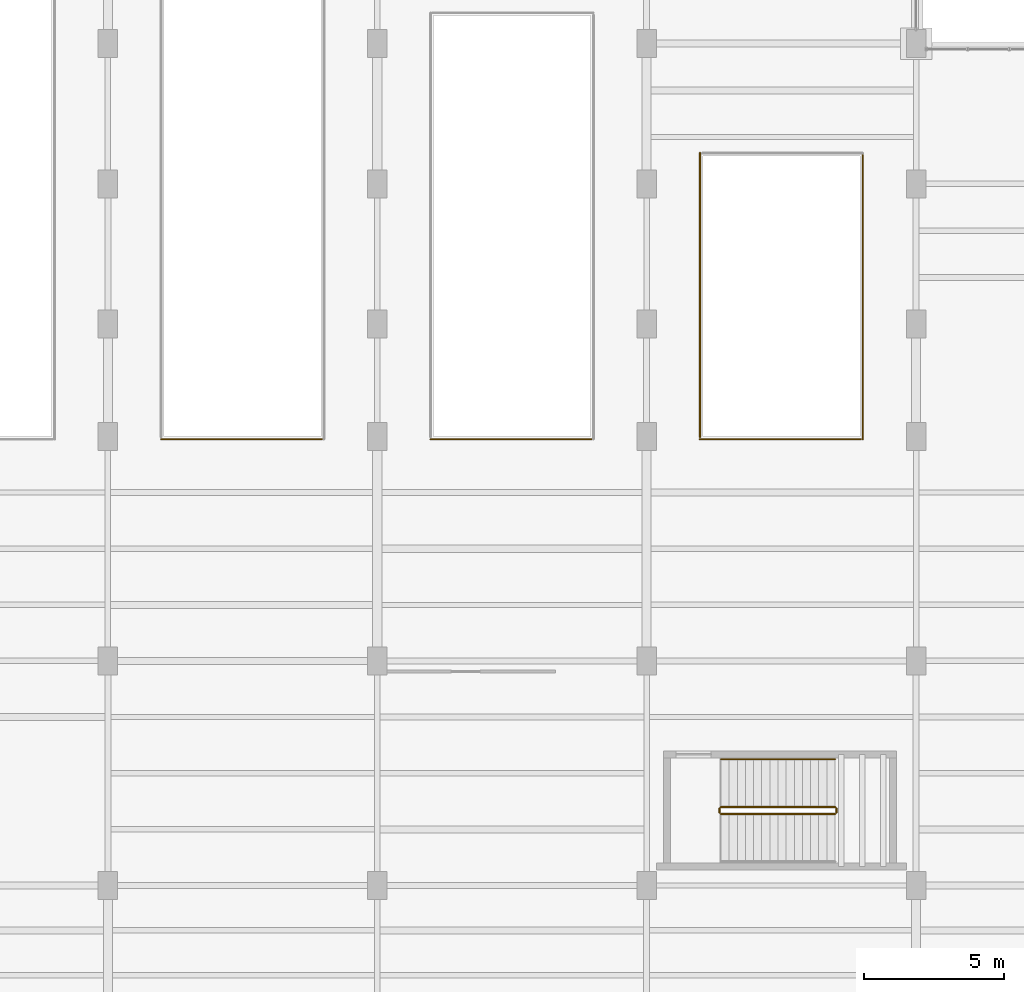
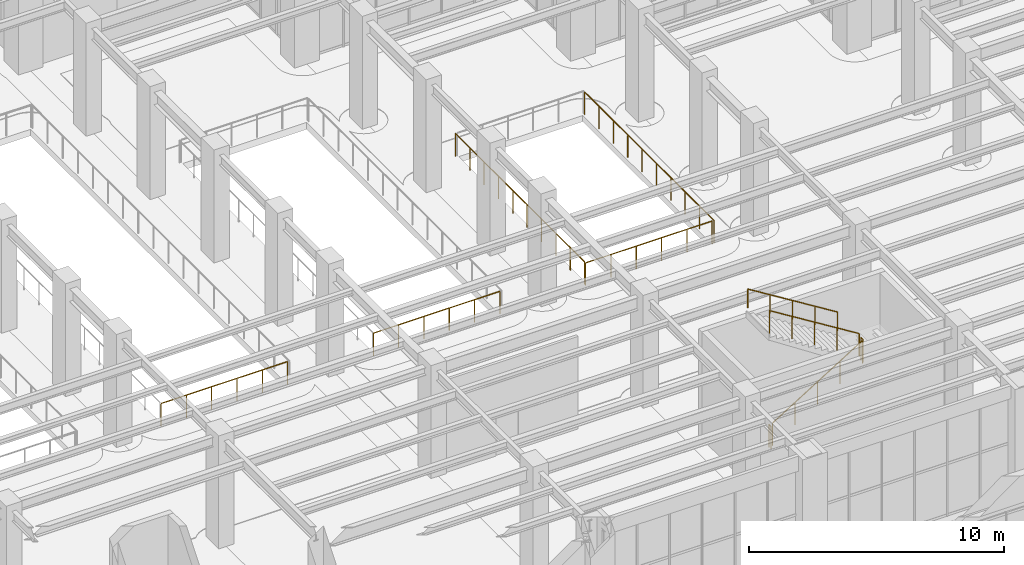
# One storey, part 160 of 164: 10 railings.
"""IFC4 building model written with IfcOpenShell, lengths in metres."""

import ifcopenshell
import ifcopenshell.guid

model = None  # the IFC model being written
_history = None  # IfcOwnerHistory: only IFC2X3 demands one
_inside = {}  # id of a spatial element -> (the spatial element, [elements in it])
_under = {}  # id of a project, library or spatial element -> (it, [spatial elements below it])
_declared = {}  # id of a project -> (the project, [libraries it declares])
_typed = {}  # id of a type object -> (the type object, [elements of that type])
_made_of = {}  # id of a material, layer set ... -> (it, [elements and type objects made of it])


def new_model(schema):
    """Start an empty IFC model of exactly this schema.

    Asked for "IFC4X3", IfcOpenShell would pick the latest addendum, in which some entities
    have other attributes; the version numbers below select the first issue.
    IFC2X3 requires an IfcOwnerHistory on every rooted entity: one is made here for all.
    """
    global model, _history
    if schema == "IFC4X3":
        model = ifcopenshell.file(schema_version=(4, 3, 0, 0))
    else:
        model = ifcopenshell.file(schema=schema)
    _inside.clear()
    _under.clear()
    _declared.clear()
    _typed.clear()
    _made_of.clear()
    _history = None
    if model.schema == "IFC2X3":
        org = make("IfcOrganization", Name="unknown")
        user = make(
            "IfcPersonAndOrganization",
            ThePerson=make("IfcPerson", FamilyName="unknown"),
            TheOrganization=org,
        )
        app = make(
            "IfcApplication",
            ApplicationDeveloper=org,
            Version="unknown",
            ApplicationFullName="unknown",
            ApplicationIdentifier="unknown",
        )
        _history = make(
            "IfcOwnerHistory",
            OwningUser=user,
            OwningApplication=app,
            ChangeAction="ADDED",
            CreationDate=0,
        )
    return model


def make(cls, **values):
    """One entity of the class cls with the attributes given. An attribute that is None is left unset."""
    return model.create_entity(
        cls, **{name: value for name, value in values.items() if value is not None}
    )


def rooted(cls, **values):
    """An entity with a GlobalId (a new one), such as an element, a storey or a relation."""
    return make(cls, GlobalId=ifcopenshell.guid.new(), OwnerHistory=_history, **values)


def si_unit(unit_type, name, prefix=None):
    """IfcSIUnit, for example si_unit("LENGTHUNIT", "METRE", prefix="MILLI")."""
    return make("IfcSIUnit", UnitType=unit_type, Prefix=prefix, Name=name)


def assignment(units):
    """IfcUnitAssignment: the units of a project."""
    return None if units is None else make("IfcUnitAssignment", Units=units)


def point(xyz):
    """IfcCartesianPoint."""
    return None if xyz is None else make("IfcCartesianPoint", Coordinates=xyz)


def direction(xyz):
    """IfcDirection."""
    return None if xyz is None else make("IfcDirection", DirectionRatios=xyz)


def frame(location, z_axis=None, x_axis=None):
    """IfcAxis2Placement3D, a coordinate frame: its origin and axes. An axis left out is left unset."""
    return make(
        "IfcAxis2Placement3D",
        Location=point(location),
        Axis=direction(z_axis),
        RefDirection=direction(x_axis),
    )


def frame_2d(location, x_axis=None):
    """IfcAxis2Placement2D, a coordinate frame in the plane: its origin and x axis."""
    return make(
        "IfcAxis2Placement2D", Location=point(location), RefDirection=direction(x_axis)
    )


def origin():
    """The frame at (0, 0, 0) with its axes left unset."""
    return frame((0.0, 0.0, 0.0))


def origin_2d():
    """The frame at (0, 0) in the plane with its x axis left unset."""
    return frame_2d((0.0, 0.0))


def place(relative_to, where):
    """IfcLocalPlacement: puts the frame where relative to a parent placement (None: the world)."""
    return make(
        "IfcLocalPlacement", PlacementRelTo=relative_to, RelativePlacement=where
    )


def context(
    kind, dimensions, precision=None, world=None, true_north=None, identifier=None
):
    """IfcGeometricRepresentationContext, for example the 3D "Model" context."""
    return make(
        "IfcGeometricRepresentationContext",
        ContextIdentifier=identifier,
        ContextType=kind,
        CoordinateSpaceDimension=dimensions,
        Precision=precision,
        WorldCoordinateSystem=world,
        TrueNorth=true_north,
    )


def subcontext(parent, identifier, kind, view, scale=None):
    """IfcGeometricRepresentationSubContext, for example "Body" below "Model"."""
    return make(
        "IfcGeometricRepresentationSubContext",
        ContextIdentifier=identifier,
        ContextType=kind,
        ParentContext=parent,
        TargetScale=scale,
        TargetView=view,
    )


def project(units=None, contexts=None):
    """IfcProject with its units and contexts."""
    return rooted(
        "IfcProject",
        Name="project",
        RepresentationContexts=contexts,
        UnitsInContext=assignment(units),
    )


def spatial(cls, under=None, at=None, **own):
    """A site, building, storey or space (cls), placed at a placement, below another one or the project."""
    s = rooted(cls, ObjectPlacement=at, **own)
    if under is not None:
        _under.setdefault(under.id(), (under, []))[1].append(s)
    return s


def profile(cls, at=None, kind="AREA", **sizes):
    """A parametric profile (cls). Its sizes go by their IFC names, for example OverallWidth=200.0."""
    return make(cls, ProfileType=kind, Position=at, **sizes)


def circle(**sizes):
    """IfcCircleProfileDef."""
    return profile("IfcCircleProfileDef", **sizes)


def extrude(swept, where, along, depth):
    """IfcExtrudedAreaSolid: the profile swept, set in the frame where, extruded along a direction by depth."""
    return make(
        "IfcExtrudedAreaSolid",
        SweptArea=swept,
        Position=where,
        ExtrudedDirection=direction(along),
        Depth=depth,
    )


def shape(context_of_items, identifier, shape_type, items):
    """IfcShapeRepresentation: the items that make up one representation, for example the "Body"."""
    return make(
        "IfcShapeRepresentation",
        ContextOfItems=context_of_items,
        RepresentationIdentifier=identifier,
        RepresentationType=shape_type,
        Items=items,
    )


def material(Name=None, Category=None):
    """IfcMaterial."""
    return make("IfcMaterial", Name=Name, Category=Category)


def made_of(thing, what):
    """Note that an element or type object is made of a material, layer set ...; save() writes the relation."""
    if what is not None:
        _made_of.setdefault(what.id(), (what, []))[1].append(thing)
    return thing


def type_object(cls, material=None, **own):
    """A type object (cls), such as IfcWallType, which elements share."""
    return made_of(rooted(cls, **own), material)


def element(
    cls,
    number,
    at=None,
    inside=None,
    cuts=None,
    type_object=None,
    material=None,
    context=None,
    identifier="Body",
    shape_type=None,
    held_by="IfcProductDefinitionShape",
    body=None,
    shapes=None,
    **own,
):
    """One element of the class cls, such as IfcWall. Its Tag is "e" and its number.

    at: its placement. inside: the storey or other place that contains it. cuts: it is an
    opening in that element (IfcRelVoidsElement). A single representation is given by context,
    identifier, shape_type and body (its items); several are given by shapes. held_by: the class
    of the entity that holds the representations. save() writes the other relations.
    """
    e = rooted(cls, Tag="e%d" % number, ObjectPlacement=at, **own)
    if body is not None:
        shapes = [shape(context, identifier, shape_type, body)]
    if shapes is not None:
        e.Representation = make(held_by, Representations=shapes)
    if inside is not None:
        _inside.setdefault(inside.id(), (inside, []))[1].append(e)
    if cuts is not None:
        rooted(
            "IfcRelVoidsElement", RelatingBuildingElement=cuts, RelatedOpeningElement=e
        )
    if type_object is not None:
        _typed.setdefault(type_object.id(), (type_object, []))[1].append(e)
    return made_of(e, material)


def aggregate(whole, parts):
    """IfcRelAggregates: a whole, such as a stair, and the parts it consists of."""
    return rooted("IfcRelAggregates", RelatingObject=whole, RelatedObjects=parts)


def save(model, path):
    """Write the relations noted so far, then the file.

    IfcRelAggregates (storeys below a building ...), IfcRelContainedInSpatialStructure (elements
    in a storey), IfcRelDefinesByType, IfcRelAssociatesMaterial and IfcRelDeclares: one each for
    every whole, place, type object, material and project.
    """
    for whole, parts in _under.values():
        aggregate(whole, parts)
    for where, things in _inside.values():
        rooted(
            "IfcRelContainedInSpatialStructure",
            RelatedElements=things,
            RelatingStructure=where,
        )
    for kind, things in _typed.values():
        rooted("IfcRelDefinesByType", RelatedObjects=things, RelatingType=kind)
    for what, things in _made_of.values():
        rooted("IfcRelAssociatesMaterial", RelatedObjects=things, RelatingMaterial=what)
    for by, libraries in _declared.values():
        rooted("IfcRelDeclares", RelatingContext=by, RelatedDefinitions=libraries)
    model.write(path)


model = new_model("IFC4")

# Units and contexts
model_context = context("Model", 3, precision=1e-05, world=origin(), true_north=direction((0.0, 1.0)))
body_context = subcontext(model_context, "Body", "Model", "MODEL_VIEW")
ifc_project = project(units=[si_unit("LENGTHUNIT", "METRE"), si_unit("AREAUNIT", "SQUARE_METRE"), si_unit("VOLUMEUNIT", "CUBIC_METRE"), si_unit("PLANEANGLEUNIT", "RADIAN"), si_unit("MASSUNIT", "GRAM", prefix="KILO")], contexts=[model_context])

# Site, building, storey
site_placement = place(None, origin())
site = spatial("IfcSite", under=ifc_project, at=site_placement, CompositionType="ELEMENT")
building_placement = place(site_placement, origin())
building = spatial("IfcBuilding", under=site, at=building_placement, Name="Mavantir Sound Aquarium", CompositionType="ELEMENT")
storey_placement = place(building_placement, origin())
storey = spatial("IfcBuildingStorey", under=building, at=storey_placement, Name="L00", CompositionType="ELEMENT", Elevation=0.0)

# Railings
ifc_material_1 = material(Name="Stainless Steel 316 and Laminated Glass Guardrail", Category="steel")
railing_type_1 = type_object("IfcRailingType", Name="RL-GUARD-110", PredefinedType="GUARDRAIL", material=ifc_material_1)
for number, where, name in (
    (1, (129.10009765625, 56.699951171875, 0.0), "L00 atrium void S guardrail 75"),
    (2, (138.699951171875, 56.699951171875, 0.0), "L00 atrium void S guardrail 79"),
    (3, (148.300048828125, 56.699951171875, 0.0), "L00 atrium void S guardrail 83"),
):
    element("IfcRailing", number, at=place(storey_placement, frame(where)), inside=storey, type_object=railing_type_1, Name=name, PredefinedType="GUARDRAIL", context=body_context, shape_type="SweptSolid", body=[
        extrude(circle(Radius=0.02392578125, at=origin_2d()), frame((0.0, 0.0, 1.076171875), z_axis=(1.0, 0.0, 0.0), x_axis=(0.0, 1.0, 0.0)), (0.0, 0.0, 1.0), 5.719970703125),
        extrude(circle(Radius=0.02099609375, at=origin_2d()), origin(), (0.0, 0.0, 1.0), 1.052001953125),
        extrude(circle(Radius=0.02099609375, at=origin_2d()), frame((1.14404296875, 0.0, 0.0)), (0.0, 0.0, 1.0), 1.052001953125),
        extrude(circle(Radius=0.02099609375, at=origin_2d()), frame((2.2880859375, 0.0, 0.0)), (0.0, 0.0, 1.0), 1.052001953125),
        extrude(circle(Radius=0.02099609375, at=origin_2d()), frame((3.431884765625, 0.0, 0.0)), (0.0, 0.0, 1.0), 1.052001953125),
        extrude(circle(Radius=0.02099609375, at=origin_2d()), frame((4.575927734375, 0.0, 0.0)), (0.0, 0.0, 1.0), 1.052001953125),
        extrude(circle(Radius=0.02099609375, at=origin_2d()), frame((5.719970703125, 0.0, 0.0)), (0.0, 0.0, 1.0), 1.052001953125),
    ])
railing_1_placement = place(storey_placement, frame((154.10009765625, 56.699951171875, 0.0)))
element("IfcRailing", 4, at=railing_1_placement, inside=storey, type_object=railing_type_1, Name="L00 atrium void E guardrail 84", PredefinedType="GUARDRAIL", context=body_context, shape_type="SweptSolid", body=[
    extrude(circle(Radius=0.02392578125, at=origin_2d()), frame((0.0, 0.0, 1.076171875), z_axis=(0.0, 1.0, 0.0), x_axis=(-1.0, 0.0, 0.0)), (0.0, 0.0, 1.0), 10.1201171875),
    extrude(circle(Radius=0.02099609375, at=origin_2d()), origin(), (0.0, 0.0, 1.0), 1.052001953125),
    extrude(circle(Radius=0.02099609375, at=origin_2d()), frame((0.0, 1.12451171875, 0.0)), (0.0, 0.0, 1.0), 1.052001953125),
    extrude(circle(Radius=0.02099609375, at=origin_2d()), frame((0.0, 2.2490234375, 0.0)), (0.0, 0.0, 1.0), 1.052001953125),
    extrude(circle(Radius=0.02099609375, at=origin_2d()), frame((0.0, 3.373291015625, 0.0)), (0.0, 0.0, 1.0), 1.052001953125),
    extrude(circle(Radius=0.02099609375, at=origin_2d()), frame((0.0, 4.497802734375, 0.0)), (0.0, 0.0, 1.0), 1.052001953125),
    extrude(circle(Radius=0.02099609375, at=origin_2d()), frame((0.0, 5.622314453125, 0.0)), (0.0, 0.0, 1.0), 1.052001953125),
    extrude(circle(Radius=0.02099609375, at=origin_2d()), frame((0.0, 6.746826171875, 0.0)), (0.0, 0.0, 1.0), 1.052001953125),
    extrude(circle(Radius=0.02099609375, at=origin_2d()), frame((0.0, 7.87109375, 0.0)), (0.0, 0.0, 1.0), 1.052001953125),
    extrude(circle(Radius=0.02099609375, at=origin_2d()), frame((0.0, 8.99560546875, 0.0)), (0.0, 0.0, 1.0), 1.052001953125),
    extrude(circle(Radius=0.02099609375, at=origin_2d()), frame((0.0, 10.1201171875, 0.0)), (0.0, 0.0, 1.0), 1.052001953125),
])
railing_2_placement = place(storey_placement, frame((148.300048828125, 66.89990234375, 0.0)))
element("IfcRailing", 5, at=railing_2_placement, inside=storey, type_object=railing_type_1, Name="L00 atrium void W guardrail 86", PredefinedType="GUARDRAIL", context=body_context, shape_type="SweptSolid", body=[
    extrude(circle(Radius=0.02392578125, at=origin_2d()), frame((0.0, 0.0, 1.076171875), z_axis=(0.0, -1.0, 0.0), x_axis=(1.0, 0.0, 0.0)), (0.0, 0.0, 1.0), 10.119873046875),
    extrude(circle(Radius=0.02099609375, at=origin_2d()), origin(), (0.0, 0.0, 1.0), 1.052001953125),
    extrude(circle(Radius=0.02099609375, at=origin_2d()), frame((0.0, -1.12451171875, 0.0)), (0.0, 0.0, 1.0), 1.052001953125),
    extrude(circle(Radius=0.02099609375, at=origin_2d()), frame((0.0, -2.248779296875, 0.0)), (0.0, 0.0, 1.0), 1.052001953125),
    extrude(circle(Radius=0.02099609375, at=origin_2d()), frame((0.0, -3.373291015625, 0.0)), (0.0, 0.0, 1.0), 1.052001953125),
    extrude(circle(Radius=0.02099609375, at=origin_2d()), frame((0.0, -4.497802734375, 0.0)), (0.0, 0.0, 1.0), 1.052001953125),
    extrude(circle(Radius=0.02099609375, at=origin_2d()), frame((0.0, -5.6220703125, 0.0)), (0.0, 0.0, 1.0), 1.052001953125),
    extrude(circle(Radius=0.02099609375, at=origin_2d()), frame((0.0, -6.74658203125, 0.0)), (0.0, 0.0, 1.0), 1.052001953125),
    extrude(circle(Radius=0.02099609375, at=origin_2d()), frame((0.0, -7.87109375, 0.0)), (0.0, 0.0, 1.0), 1.052001953125),
    extrude(circle(Radius=0.02099609375, at=origin_2d()), frame((0.0, -8.995361328125, 0.0)), (0.0, 0.0, 1.0), 1.052001953125),
    extrude(circle(Radius=0.02099609375, at=origin_2d()), frame((0.0, -10.119873046875, 0.0)), (0.0, 0.0, 1.0), 1.052001953125),
])
railing_3_placement = place(storey_placement, frame((149.050048828125, 43.35009765625, 0.179931640625)))
element("IfcRailing", 6, at=railing_3_placement, inside=storey, type_object=railing_type_1, Name="L00 ST12 stair guard 1", PredefinedType="GUARDRAIL", context=body_context, shape_type="SweptSolid", body=[
    extrude(circle(Radius=0.02392578125, at=origin_2d()), frame((0.0, 0.0, 1.076171875), z_axis=(0.849641744969, 0.0, 0.527360318194), x_axis=(0.0, 1.0, 0.0)), (0.0, 0.0, 1.0), 4.778564453125),
    extrude(circle(Radius=0.02099609375, at=origin_2d()), origin(), (0.0, 0.0, 1.0), 1.052001953125),
    extrude(circle(Radius=0.02099609375, at=origin_2d()), frame((1.01513671875, 0.0, 0.6298828125)), (0.0, 0.0, 1.0), 1.052001953125),
    extrude(circle(Radius=0.02099609375, at=origin_2d()), frame((2.030029296875, 0.0, 1.260009765625)), (0.0, 0.0, 1.0), 1.052001953125),
    extrude(circle(Radius=0.02099609375, at=origin_2d()), frame((3.044921875, 0.0, 1.89013671875)), (0.0, 0.0, 1.0), 1.052001953125),
    extrude(circle(Radius=0.02099609375, at=origin_2d()), frame((4.06005859375, 0.0, 2.52001953125)), (0.0, 0.0, 1.0), 1.052001953125),
])
railing_4_placement = place(storey_placement, frame((153.159912109375, 43.39990234375, 2.699951171875)))
element("IfcRailing", 7, at=railing_4_placement, inside=storey, type_object=railing_type_1, Name="L00 ST12 stair guard 2", PredefinedType="GUARDRAIL", context=body_context, shape_type="SweptSolid", body=[
    extrude(circle(Radius=0.02392578125, at=origin_2d()), frame((0.0, 0.0, 1.076171875), z_axis=(0.0, 1.0, 0.0), x_axis=(-1.0, 0.0, 0.0)), (0.0, 0.0, 1.0), 0.150146484375),
    extrude(circle(Radius=0.02099609375, at=origin_2d()), origin(), (0.0, 0.0, 1.0), 1.052001953125),
    extrude(circle(Radius=0.02099609375, at=origin_2d()), frame((0.0, 0.150146484375, 0.0)), (0.0, 0.0, 1.0), 1.052001953125),
])
railing_5_placement = place(storey_placement, frame((153.110107421875, 43.60009765625, 2.8798828125)))
element("IfcRailing", 8, at=railing_5_placement, inside=storey, type_object=railing_type_1, Name="L00 ST12 stair guard 3", PredefinedType="GUARDRAIL", context=body_context, shape_type="SweptSolid", body=[
    extrude(circle(Radius=0.02392578125, at=origin_2d()), frame((0.0, 0.0, 1.076171875), z_axis=(-0.849641744969, 0.0, 0.527360318194), x_axis=(0.0, -1.0, 0.0)), (0.0, 0.0, 1.0), 4.778564453125),
    extrude(circle(Radius=0.02099609375, at=origin_2d()), origin(), (0.0, 0.0, 1.0), 1.052001953125),
    extrude(circle(Radius=0.02099609375, at=origin_2d()), frame((-1.01513671875, 0.0, 0.6298828125)), (0.0, 0.0, 1.0), 1.052001953125),
    extrude(circle(Radius=0.02099609375, at=origin_2d()), frame((-2.030029296875, 0.0, 1.260009765625)), (0.0, 0.0, 1.0), 1.052001953125),
    extrude(circle(Radius=0.02099609375, at=origin_2d()), frame((-3.044921875, 0.0, 1.89013671875)), (0.0, 0.0, 1.0), 1.052001953125),
    extrude(circle(Radius=0.02099609375, at=origin_2d()), frame((-4.06005859375, 0.0, 2.52001953125)), (0.0, 0.0, 1.0), 1.052001953125),
])
railing_6_placement = place(storey_placement, frame((149.0, 43.39990234375, 0.0)))
element("IfcRailing", 9, at=railing_6_placement, inside=storey, type_object=railing_type_1, Name="L00 ST12 stair guard 4", PredefinedType="GUARDRAIL", context=body_context, shape_type="SweptSolid", body=[
    extrude(circle(Radius=0.02392578125, at=origin_2d()), frame((0.0, 0.0, 1.076171875), z_axis=(0.0, 1.0, 0.0), x_axis=(-1.0, 0.0, 0.0)), (0.0, 0.0, 1.0), 0.150146484375),
    extrude(circle(Radius=0.02099609375, at=origin_2d()), origin(), (0.0, 0.0, 1.0), 1.052001953125),
    extrude(circle(Radius=0.02099609375, at=origin_2d()), frame((0.0, 0.150146484375, 0.0)), (0.0, 0.0, 1.0), 1.052001953125),
])
ifc_material_2 = material(Name="Brushed Stainless Steel 316 Handrail", Category="steel")
railing_type_2 = type_object("IfcRailingType", Name="RL-HR-90", PredefinedType="HANDRAIL", material=ifc_material_2)
railing_7_placement = place(storey_placement, frame((153.110107421875, 45.300048828125, 3.06494140625)))
element("IfcRailing", 10, at=railing_7_placement, inside=storey, type_object=railing_type_2, Name="L00 ST12 stair handrail 2", PredefinedType="HANDRAIL", context=body_context, shape_type="SweptSolid", body=[
    extrude(circle(Radius=0.02392578125, at=origin_2d()), frame((0.0, 0.0, 0.89111328125), z_axis=(-0.849641744969, 0.0, 0.527360318194), x_axis=(0.0, -1.0, 0.0)), (0.0, 0.0, 1.0), 4.778564453125),
    extrude(circle(Radius=0.02099609375, at=origin_2d()), origin(), (0.0, 0.0, 1.0), 0.866943359375),
    extrude(circle(Radius=0.02099609375, at=origin_2d()), frame((-1.01513671875, 0.0, 0.6298828125)), (0.0, 0.0, 1.0), 0.866943359375),
    extrude(circle(Radius=0.02099609375, at=origin_2d()), frame((-2.030029296875, 0.0, 1.260009765625)), (0.0, 0.0, 1.0), 0.866943359375),
    extrude(circle(Radius=0.02099609375, at=origin_2d()), frame((-3.044921875, 0.0, 1.89013671875)), (0.0, 0.0, 1.0), 0.866943359375),
    extrude(circle(Radius=0.02099609375, at=origin_2d()), frame((-4.06005859375, 0.0, 2.52001953125)), (0.0, 0.0, 1.0), 0.866943359375),
])

save(model, "model.ifc")
